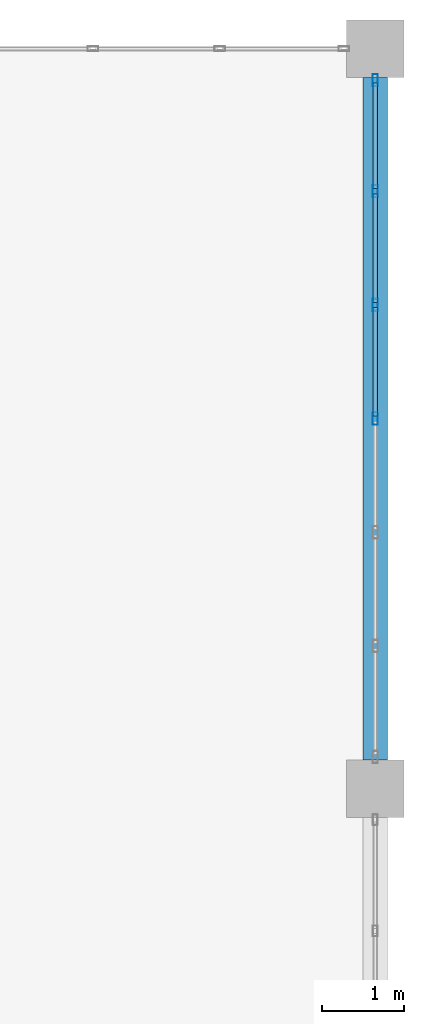
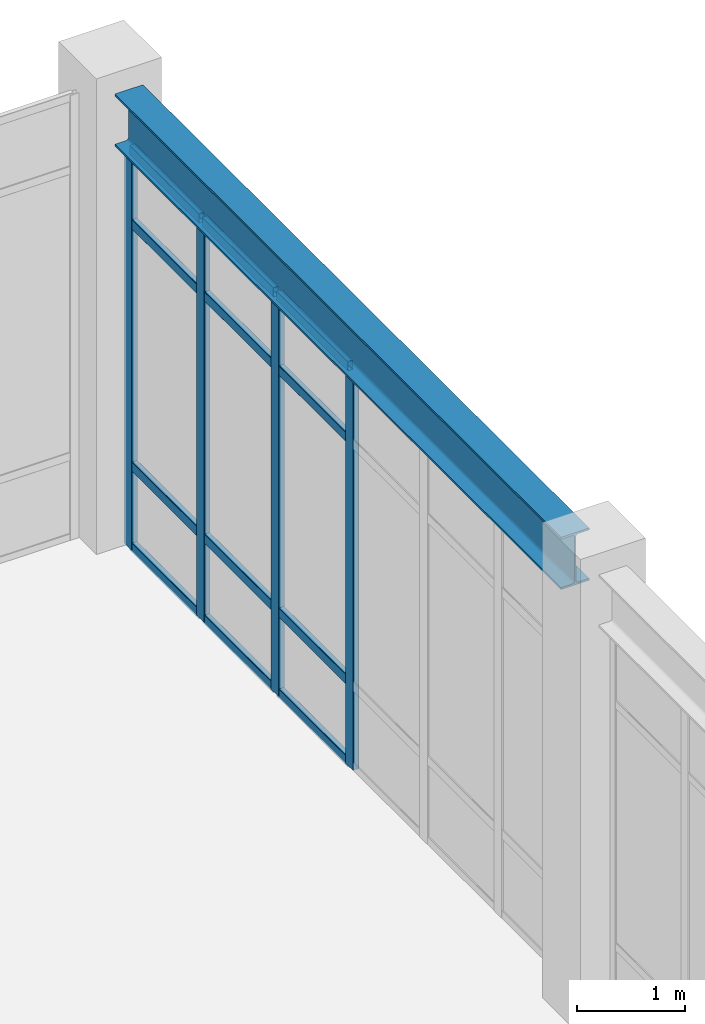
# One storey, part 54 of 80: 16 members, 1 beam, 1 element without a shape of its own.
"""IFC4 building model written with IfcOpenShell, lengths in metres."""

from ifc_helpers import new_model, si_unit, direction, frame, origin, origin_2d, place, context, subcontext, project, spatial, hollow_rectangle, i_section, extrude, material, material_profile, profile_set, type_object, element, aggregate, save


model = new_model("IFC4")

# Units and contexts
model_context = context("Model", 3, precision=1e-05, world=origin(), true_north=direction((0.0, 1.0)))
body_context = subcontext(model_context, "Body", "Model", "MODEL_VIEW")
ifc_project = project(units=[si_unit("LENGTHUNIT", "METRE"), si_unit("AREAUNIT", "SQUARE_METRE"), si_unit("VOLUMEUNIT", "CUBIC_METRE"), si_unit("PLANEANGLEUNIT", "RADIAN"), si_unit("MASSUNIT", "GRAM", prefix="KILO")], contexts=[model_context])

# Site, building, storey
site_placement = place(None, origin())
site = spatial("IfcSite", under=ifc_project, at=site_placement, CompositionType="ELEMENT")
building_placement = place(site_placement, origin())
building = spatial("IfcBuilding", under=site, at=building_placement, Name="Canglan Escarpment Cableway Terminal", CompositionType="ELEMENT")
storey_placement = place(building_placement, frame((0.0, 0.0, 19.199951171875)))
storey = spatial("IfcBuildingStorey", under=building, at=storey_placement, Name="L04", CompositionType="ELEMENT", Elevation=19.199951171875)

# Beam
ifc_material_1 = material(Name="Steel Q355C", Category="steel")
ifc_material_profile_1 = material_profile(ifc_material_1, i_section(OverallWidth=0.302001953125, OverallDepth=0.593994140625, WebThickness=0.013916015625, FlangeThickness=0.02294921875, FilletRadius=0.028076171875, at=origin_2d()), Name="HM 594x302x14x23")
ifc_profile_set_1 = profile_set([ifc_material_profile_1], Name="Steel Q355C")
beam_type = type_object("IfcBeamType", Name="BM-HM594", PredefinedType="BEAM", material=ifc_profile_set_1)
beam_placement = place(storey_placement, frame((166.39990234375, 115.35009765625, 4.863037109375), z_axis=(0.0, 1.0, 0.0), x_axis=(-1.0, 0.0, 0.0)))
element("IfcBeam", 1, at=beam_placement, inside=storey, type_object=beam_type, Name="Primary transverse girder B-07", PredefinedType="BEAM", context=body_context, shape_type="SweptSolid", body=[
    extrude(i_section(OverallWidth=0.302001953125, OverallDepth=0.593994140625, WebThickness=0.013916015625, FlangeThickness=0.02294921875, FilletRadius=0.028076171875, at=origin_2d()), origin(), (0.0, 0.0, 1.0), 8.2998046875),
])

# Curtain wall, members
ifc_material_2 = material(Name="Anodized bronze aluminium and Low-E double glazing", Category="aluminium")
curtain_wall_type = type_object("IfcCurtainWallType", Name="CW-BAY-8300x4550", PredefinedType="NOTDEFINED", material=ifc_material_2)
curtain_wall_placement = place(storey_placement, origin())
curtain_wall = element("IfcCurtainWall", 2, at=curtain_wall_placement, inside=storey, type_object=curtain_wall_type, Name="Classical bay-between-piers glazed curtain wall CW-64", PredefinedType="NOTDEFINED")
ifc_material_3 = material(Name="Thermally broken anodized aluminium 6063-T6", Category="aluminium")
ifc_material_profile_2 = material_profile(ifc_material_3, hollow_rectangle(XDim=0.06494140625, YDim=0.14990234375, WallThickness=0.00341796875, InnerFilletRadius=0.00341796875, OuterFilletRadius=0.007080078125, at=origin_2d()), Name="ALU-MULL 65x150x3.5")
ifc_profile_set_2 = profile_set([ifc_material_profile_2], Name="Thermally broken anodized aluminium 6063-T6")
member_type_1 = type_object("IfcMemberType", Name="CWM-02", PredefinedType="MULLION", material=ifc_profile_set_2)
member_1_placement = place(storey_placement, frame((166.39990234375, 119.5, 0.0), z_axis=(0.0, 0.0, 1.0), x_axis=(-1.0, 0.0, 0.0)))
member_1 = element("IfcMember", 3, at=member_1_placement, type_object=member_type_1, Name="CW-64 mullion 4", PredefinedType="MULLION", context=body_context, shape_type="SweptSolid", body=[
    extrude(hollow_rectangle(XDim=0.06494140625, YDim=0.14990234375, WallThickness=0.00341796875, InnerFilletRadius=0.00341796875, OuterFilletRadius=0.007080078125, at=origin_2d()), origin(), (0.0, 0.0, 1.0), 4.551025390625),
])
member_2_placement = place(storey_placement, frame((166.39990234375, 120.88330078125, 0.0), z_axis=(0.0, 0.0, 1.0), x_axis=(-1.0, 0.0, 0.0)))
member_2 = element("IfcMember", 4, at=member_2_placement, type_object=member_type_1, Name="CW-64 mullion 5", PredefinedType="MULLION", context=body_context, shape_type="SweptSolid", body=[
    extrude(hollow_rectangle(XDim=0.06494140625, YDim=0.14990234375, WallThickness=0.00341796875, InnerFilletRadius=0.00341796875, OuterFilletRadius=0.007080078125, at=origin_2d()), origin(), (0.0, 0.0, 1.0), 4.551025390625),
])
member_3_placement = place(storey_placement, frame((166.39990234375, 122.2666015625, 0.0), z_axis=(0.0, 0.0, 1.0), x_axis=(-1.0, 0.0, 0.0)))
member_3 = element("IfcMember", 5, at=member_3_placement, type_object=member_type_1, Name="CW-64 mullion 6", PredefinedType="MULLION", context=body_context, shape_type="SweptSolid", body=[
    extrude(hollow_rectangle(XDim=0.06494140625, YDim=0.14990234375, WallThickness=0.00341796875, InnerFilletRadius=0.00341796875, OuterFilletRadius=0.007080078125, at=origin_2d()), origin(), (0.0, 0.0, 1.0), 4.551025390625),
])
member_4_placement = place(storey_placement, frame((166.39990234375, 123.617431640625, 0.0), z_axis=(0.0, 0.0, 1.0), x_axis=(-1.0, 0.0, 0.0)))
member_4 = element("IfcMember", 6, at=member_4_placement, type_object=member_type_1, Name="CW-64 mullion 7", PredefinedType="MULLION", context=body_context, shape_type="SweptSolid", body=[
    extrude(hollow_rectangle(XDim=0.06494140625, YDim=0.14990234375, WallThickness=0.00341796875, InnerFilletRadius=0.00341796875, OuterFilletRadius=0.007080078125, at=origin_2d()), origin(), (0.0, 0.0, 1.0), 4.551025390625),
])
ifc_material_profile_3 = material_profile(ifc_material_3, hollow_rectangle(XDim=0.06005859375, YDim=0.110107421875, WallThickness=0.0029296875, InnerFilletRadius=0.0029296875, OuterFilletRadius=0.006103515625, at=origin_2d()), Name="ALU-TRAN 60x110x3")
ifc_profile_set_3 = profile_set([ifc_material_profile_3], Name="Thermally broken anodized aluminium 6063-T6")
member_type_2 = type_object("IfcMemberType", Name="CWT-02", PredefinedType="USERDEFINED", material=ifc_profile_set_3)
member_5_placement = place(storey_placement, frame((166.39990234375, 119.532470703125, 0.030029296875), z_axis=(0.0, 1.0, 0.0), x_axis=(-1.0, 0.0, 0.0)))
member_5 = element("IfcMember", 7, at=member_5_placement, type_object=member_type_2, Name="CW-64 transom 4.1", ObjectType="TRANSOM", PredefinedType="USERDEFINED", context=body_context, shape_type="SweptSolid", body=[
    extrude(hollow_rectangle(XDim=0.06005859375, YDim=0.110107421875, WallThickness=0.0029296875, InnerFilletRadius=0.0029296875, OuterFilletRadius=0.006103515625, at=origin_2d()), origin(), (0.0, 0.0, 1.0), 1.318359375),
])
member_6_placement = place(storey_placement, frame((166.39990234375, 119.532470703125, 0.949951171875), z_axis=(0.0, 1.0, 0.0), x_axis=(-1.0, 0.0, 0.0)))
member_6 = element("IfcMember", 8, at=member_6_placement, type_object=member_type_2, Name="CW-64 transom 4.2", ObjectType="TRANSOM", PredefinedType="USERDEFINED", context=body_context, shape_type="SweptSolid", body=[
    extrude(hollow_rectangle(XDim=0.06005859375, YDim=0.110107421875, WallThickness=0.0029296875, InnerFilletRadius=0.0029296875, OuterFilletRadius=0.006103515625, at=origin_2d()), origin(), (0.0, 0.0, 1.0), 1.318359375),
])
member_7_placement = place(storey_placement, frame((166.39990234375, 119.532470703125, 3.700927734375), z_axis=(0.0, 1.0, 0.0), x_axis=(-1.0, 0.0, 0.0)))
member_7 = element("IfcMember", 9, at=member_7_placement, type_object=member_type_2, Name="CW-64 transom 4.3", ObjectType="TRANSOM", PredefinedType="USERDEFINED", context=body_context, shape_type="SweptSolid", body=[
    extrude(hollow_rectangle(XDim=0.06005859375, YDim=0.110107421875, WallThickness=0.0029296875, InnerFilletRadius=0.0029296875, OuterFilletRadius=0.006103515625, at=origin_2d()), origin(), (0.0, 0.0, 1.0), 1.318359375),
])
member_8_placement = place(storey_placement, frame((166.39990234375, 119.532470703125, 4.52099609375), z_axis=(0.0, 1.0, 0.0), x_axis=(-1.0, 0.0, 0.0)))
member_8 = element("IfcMember", 10, at=member_8_placement, type_object=member_type_2, Name="CW-64 transom 4.4", ObjectType="TRANSOM", PredefinedType="USERDEFINED", context=body_context, shape_type="SweptSolid", body=[
    extrude(hollow_rectangle(XDim=0.06005859375, YDim=0.110107421875, WallThickness=0.0029296875, InnerFilletRadius=0.0029296875, OuterFilletRadius=0.006103515625, at=origin_2d()), origin(), (0.0, 0.0, 1.0), 1.318359375),
])
member_9_placement = place(storey_placement, frame((166.39990234375, 120.915771484375, 0.030029296875), z_axis=(0.0, 1.0, 0.0), x_axis=(-1.0, 0.0, 0.0)))
member_9 = element("IfcMember", 11, at=member_9_placement, type_object=member_type_2, Name="CW-64 transom 5.1", ObjectType="TRANSOM", PredefinedType="USERDEFINED", context=body_context, shape_type="SweptSolid", body=[
    extrude(hollow_rectangle(XDim=0.06005859375, YDim=0.110107421875, WallThickness=0.0029296875, InnerFilletRadius=0.0029296875, OuterFilletRadius=0.006103515625, at=origin_2d()), origin(), (0.0, 0.0, 1.0), 1.318359375),
])
member_10_placement = place(storey_placement, frame((166.39990234375, 120.915771484375, 0.949951171875), z_axis=(0.0, 1.0, 0.0), x_axis=(-1.0, 0.0, 0.0)))
member_10 = element("IfcMember", 12, at=member_10_placement, type_object=member_type_2, Name="CW-64 transom 5.2", ObjectType="TRANSOM", PredefinedType="USERDEFINED", context=body_context, shape_type="SweptSolid", body=[
    extrude(hollow_rectangle(XDim=0.06005859375, YDim=0.110107421875, WallThickness=0.0029296875, InnerFilletRadius=0.0029296875, OuterFilletRadius=0.006103515625, at=origin_2d()), origin(), (0.0, 0.0, 1.0), 1.318359375),
])
member_11_placement = place(storey_placement, frame((166.39990234375, 120.915771484375, 3.700927734375), z_axis=(0.0, 1.0, 0.0), x_axis=(-1.0, 0.0, 0.0)))
member_11 = element("IfcMember", 13, at=member_11_placement, type_object=member_type_2, Name="CW-64 transom 5.3", ObjectType="TRANSOM", PredefinedType="USERDEFINED", context=body_context, shape_type="SweptSolid", body=[
    extrude(hollow_rectangle(XDim=0.06005859375, YDim=0.110107421875, WallThickness=0.0029296875, InnerFilletRadius=0.0029296875, OuterFilletRadius=0.006103515625, at=origin_2d()), origin(), (0.0, 0.0, 1.0), 1.318359375),
])
member_12_placement = place(storey_placement, frame((166.39990234375, 120.915771484375, 4.52099609375), z_axis=(0.0, 1.0, 0.0), x_axis=(-1.0, 0.0, 0.0)))
member_12 = element("IfcMember", 14, at=member_12_placement, type_object=member_type_2, Name="CW-64 transom 5.4", ObjectType="TRANSOM", PredefinedType="USERDEFINED", context=body_context, shape_type="SweptSolid", body=[
    extrude(hollow_rectangle(XDim=0.06005859375, YDim=0.110107421875, WallThickness=0.0029296875, InnerFilletRadius=0.0029296875, OuterFilletRadius=0.006103515625, at=origin_2d()), origin(), (0.0, 0.0, 1.0), 1.318359375),
])
member_13_placement = place(storey_placement, frame((166.39990234375, 122.299072265625, 0.030029296875), z_axis=(0.0, 1.0, 0.0), x_axis=(-1.0, 0.0, 0.0)))
member_13 = element("IfcMember", 15, at=member_13_placement, type_object=member_type_2, Name="CW-64 transom 6.1", ObjectType="TRANSOM", PredefinedType="USERDEFINED", context=body_context, shape_type="SweptSolid", body=[
    extrude(hollow_rectangle(XDim=0.06005859375, YDim=0.110107421875, WallThickness=0.0029296875, InnerFilletRadius=0.0029296875, OuterFilletRadius=0.006103515625, at=origin_2d()), origin(), (0.0, 0.0, 1.0), 1.285888671875),
])
member_14_placement = place(storey_placement, frame((166.39990234375, 122.299072265625, 0.949951171875), z_axis=(0.0, 1.0, 0.0), x_axis=(-1.0, 0.0, 0.0)))
member_14 = element("IfcMember", 16, at=member_14_placement, type_object=member_type_2, Name="CW-64 transom 6.2", ObjectType="TRANSOM", PredefinedType="USERDEFINED", context=body_context, shape_type="SweptSolid", body=[
    extrude(hollow_rectangle(XDim=0.06005859375, YDim=0.110107421875, WallThickness=0.0029296875, InnerFilletRadius=0.0029296875, OuterFilletRadius=0.006103515625, at=origin_2d()), origin(), (0.0, 0.0, 1.0), 1.285888671875),
])
member_15_placement = place(storey_placement, frame((166.39990234375, 122.299072265625, 3.700927734375), z_axis=(0.0, 1.0, 0.0), x_axis=(-1.0, 0.0, 0.0)))
member_15 = element("IfcMember", 17, at=member_15_placement, type_object=member_type_2, Name="CW-64 transom 6.3", ObjectType="TRANSOM", PredefinedType="USERDEFINED", context=body_context, shape_type="SweptSolid", body=[
    extrude(hollow_rectangle(XDim=0.06005859375, YDim=0.110107421875, WallThickness=0.0029296875, InnerFilletRadius=0.0029296875, OuterFilletRadius=0.006103515625, at=origin_2d()), origin(), (0.0, 0.0, 1.0), 1.285888671875),
])
member_16_placement = place(storey_placement, frame((166.39990234375, 122.299072265625, 4.52099609375), z_axis=(0.0, 1.0, 0.0), x_axis=(-1.0, 0.0, 0.0)))
member_16 = element("IfcMember", 18, at=member_16_placement, type_object=member_type_2, Name="CW-64 transom 6.4", ObjectType="TRANSOM", PredefinedType="USERDEFINED", context=body_context, shape_type="SweptSolid", body=[
    extrude(hollow_rectangle(XDim=0.06005859375, YDim=0.110107421875, WallThickness=0.0029296875, InnerFilletRadius=0.0029296875, OuterFilletRadius=0.006103515625, at=origin_2d()), origin(), (0.0, 0.0, 1.0), 1.285888671875),
])
aggregate(curtain_wall, [member_1, member_2, member_3, member_4, member_5, member_6, member_7, member_8, member_9, member_10, member_11, member_12, member_13, member_14, member_15, member_16])

save(model, "model.ifc")
